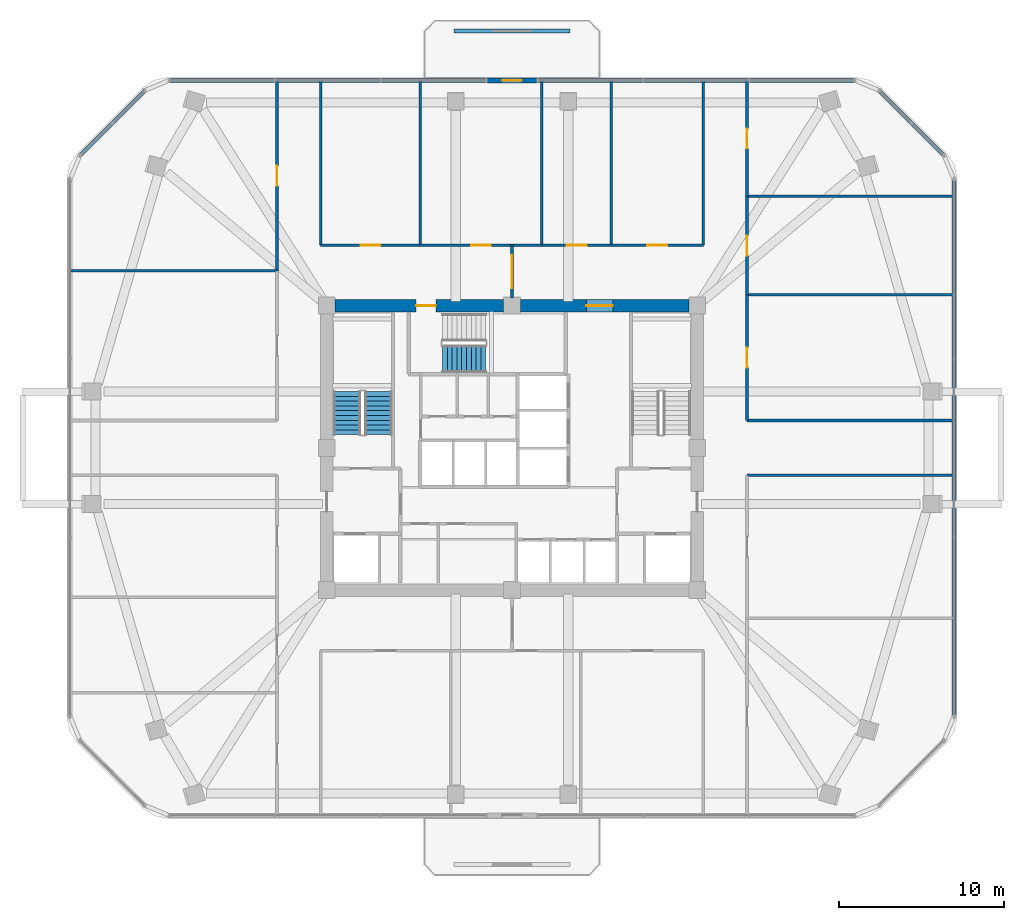
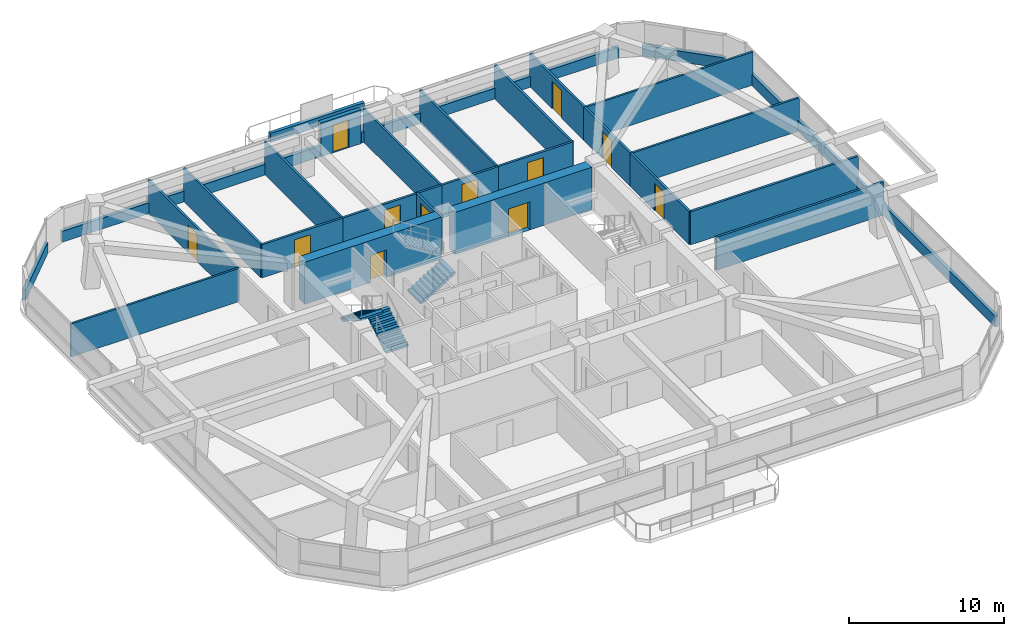
# One storey, part 10 of 13: 28 walls, 12 doors, 3 stair flights, 12 openings, 2 elements without a shape of their own.
"""IFC4 building model written with IfcOpenShell, lengths in metres."""

from ifc_helpers import new_model, si_unit, derived_unit, direction, frame, frame_2d, origin, place, context, subcontext, project, spatial, polyline, rectangle, outline, extrude, material, layer, layer_set, type_object, element, fill, aggregate, save


model = new_model("IFC4")

# Units and contexts
model_context = context("Model", 3, precision=1e-05, world=origin(), true_north=direction((0.0, 1.0)))
body_context = subcontext(model_context, "Body", "Model", "MODEL_VIEW")
ifc_project = project(units=[si_unit("LENGTHUNIT", "METRE"), si_unit("AREAUNIT", "SQUARE_METRE"), si_unit("VOLUMEUNIT", "CUBIC_METRE"), si_unit("PLANEANGLEUNIT", "RADIAN"), si_unit("MASSUNIT", "GRAM", prefix="KILO"), derived_unit("THERMALTRANSMITTANCEUNIT", [(si_unit("POWERUNIT", "WATT"), 1), (si_unit("LENGTHUNIT", "METRE"), -2), (si_unit("THERMODYNAMICTEMPERATUREUNIT", "KELVIN"), -1)])], contexts=[model_context])

# Site, building, storey
site_placement = place(None, origin())
site = spatial("IfcSite", under=ifc_project, at=site_placement, CompositionType="ELEMENT")
building_placement = place(site_placement, origin())
building = spatial("IfcBuilding", under=site, at=building_placement, Name="Koralith Skygarden Medical Center", CompositionType="ELEMENT")
storey_placement = place(building_placement, frame((0.0, 0.0, 88.3798828125)))
storey = spatial("IfcBuildingStorey", under=building, at=storey_placement, Name="L22", CompositionType="ELEMENT", Elevation=88.3798828125)

# Walls
ifc_material_1 = material(Name="Gypsum Board Partition")
ifc_layer_1 = layer(ifc_material_1, 0.14990234375)
ifc_layer_set_1 = layer_set([ifc_layer_1], Name="Gypsum Board Partition")
wall_type_1 = type_object("IfcWallType", Name="Clinical Acoustic Partition 150", PredefinedType="PARTITIONING", material=ifc_layer_set_1)
for number, where, z_axis, x_axis, name in (
    (1, (31.450927734375, 38.159912109375, 0.0), (0.0, 0.0, 1.0), (0.0, 1.0, 0.0), "L22 Clinical Acoustic Partition 150 W-PART-L22-N-01"),
    (2, (38.800048828125, 38.159912109375, 0.0), (0.0, 0.0, 1.0), (0.0, 1.0, 0.0), "L22 Clinical Acoustic Partition 150 W-PART-L22-N-02"),
    (3, (43.010986328125, 38.159912109375, 0.0), (0.0, 0.0, 1.0), (0.0, 1.0, 0.0), "L22 Clinical Acoustic Partition 150 W-PART-L22-N-03"),
):
    element("IfcWall", number, at=place(storey_placement, frame(where, z_axis=z_axis, x_axis=x_axis)), inside=storey, type_object=wall_type_1, Name=name, PredefinedType="PARTITIONING", context=body_context, shape_type="SweptSolid", body=[
        extrude(rectangle(XDim=9.940185546875, YDim=0.14990234375, at=frame_2d((4.97021484375, 0.0))), origin(), (0.0, 0.0, 1.0), 2.610107421875),
    ])
for number, where, z_axis, x_axis, name in (
    (4, (22.7900390625, 36.597900390625, 0.0), (0.0, 0.0, 1.0), (-1.0, 0.0, 0.0), "L22 Clinical Acoustic Partition 150 W-PART-L22-WN-01"),
    (5, (51.2099609375, 35.15087890625, 0.0), (0.0, 0.0, 1.0), (1.0, 0.0, 0.0), "L22 Clinical Acoustic Partition 150 W-PART-L22-EN-01"),
    (6, (51.2099609375, 41.115966796875, 0.0), (0.0, 0.0, 1.0), (1.0, 0.0, 0.0), "L22 Clinical Acoustic Partition 150 W-PART-L22-EN-02"),
):
    element("IfcWall", number, at=place(storey_placement, frame(where, z_axis=z_axis, x_axis=x_axis)), inside=storey, type_object=wall_type_1, Name=name, PredefinedType="PARTITIONING", context=body_context, shape_type="SweptSolid", body=[
        extrude(rectangle(XDim=12.489990234375, YDim=0.14990234375, at=frame_2d((6.2451171875, 0.0))), origin(), (0.0, 0.0, 1.0), 2.610107421875),
    ])
ifc_layer_2 = layer(ifc_material_1, 0.1650390625)
ifc_layer_set_2 = layer_set([ifc_layer_2], Name="Gypsum Board Partition")
wall_type_2 = type_object("IfcWallType", Name="Clinical Corridor Partition 165", PredefinedType="PARTITIONING", material=ifc_layer_set_2)
for number, where, z_axis, x_axis, name in (
    (7, (25.429931640625, 38.159912109375, 0.0), (0.0, 0.0, 1.0), (0.0, 1.0, 0.0), "L22 Clinical Corridor Partition 165 W-HCOR-L22-NW"),
    (8, (48.570068359375, 38.159912109375, 0.0), (0.0, 0.0, 1.0), (0.0, 1.0, 0.0), "L22 Clinical Corridor Partition 165 W-HCOR-L22-NE"),
):
    element("IfcWall", number, at=place(storey_placement, frame(where, z_axis=z_axis, x_axis=x_axis)), inside=storey, type_object=wall_type_2, Name=name, PredefinedType="PARTITIONING", context=body_context, shape_type="SweptSolid", body=[
        extrude(rectangle(XDim=9.940185546875, YDim=0.1650390625, at=frame_2d((4.97021484375, 0.0))), origin(), (0.0, 0.0, 1.0), 2.610107421875),
    ])
for number, where, z_axis, x_axis, name in (
    (9, (51.2099609375, 24.239990234375, 0.0), (0.0, 0.0, 1.0), (1.0, 0.0, 0.0), "L22 Clinical Corridor Partition 165 W-HCOR-L22-EWS-E"),
    (10, (51.2099609375, 27.56005859375, 0.0), (0.0, 0.0, 1.0), (1.0, 0.0, 0.0), "L22 Clinical Corridor Partition 165 W-HCOR-L22-EWN-E"),
):
    element("IfcWall", number, at=place(storey_placement, frame(where, z_axis=z_axis, x_axis=x_axis)), inside=storey, type_object=wall_type_2, Name=name, PredefinedType="PARTITIONING", context=body_context, shape_type="SweptSolid", body=[
        extrude(rectangle(XDim=12.489990234375, YDim=0.1650390625, at=frame_2d((6.2451171875, 0.0))), origin(), (0.0, 0.0, 1.0), 2.610107421875),
    ])

# Wall, opening, door
wall_1_placement = place(storey_placement, frame((25.429931640625, 38.159912109375, 0.0), z_axis=(0.0, 0.0, 1.0), x_axis=(1.0, 0.0, 0.0)))
wall_1 = element("IfcWall", 11, at=wall_1_placement, inside=storey, type_object=wall_type_2, Name="L22 Clinical Corridor Partition 165 W-CORR-L22-N-01", PredefinedType="PARTITIONING", context=body_context, shape_type="SweptSolid", body=[
    extrude(rectangle(XDim=6.02099609375, YDim=0.1650390625, at=frame_2d((3.010498046875, 0.0))), origin(), (0.0, 0.0, 1.0), 2.610107421875),
])
opening_1_placement = place(wall_1_placement, frame((2.410888671875, 0.0, 0.0)))
opening_1 = element("IfcOpeningElement", 12, at=opening_1_placement, cuts=wall_1, Name="Opening D-CLN", PredefinedType="OPENING", context=body_context, shape_type="SweptSolid", body=[
    extrude(rectangle(XDim=1.199951171875, YDim=2.14990234375, at=frame_2d((0.60009765625, 1.074951171875))), frame((0.0, 0.092529296875, 0.0), z_axis=(0.0, -1.0, 0.0), x_axis=(1.0, 0.0, 0.0)), (0.0, 0.0, 1.0), 0.18505859375),
])
ifc_material_2 = material(Name="Aluminium 6063-T6", Category="aluminium")
door_type_1 = type_object("IfcDoorType", Name="Clinical Corridor Door D-CLN 1200", OperationType="NOTDEFINED", PredefinedType="DOOR", material=ifc_material_2)
door_1_placement = place(opening_1_placement, origin())
door_1 = element("IfcDoor", 13, at=door_1_placement, inside=storey, type_object=door_type_1, Name="L22 Physician Consultation Office 01 Door", OperationType="SINGLE_SWING_RIGHT", OverallHeight=2.14990234375, OverallWidth=1.199951171875, PredefinedType="DOOR", context=body_context, shape_type="SweptSolid", body=[
    extrude(rectangle(XDim=1.199951171875, YDim=2.14990234375, at=frame_2d((0.60009765625, 1.074951171875))), frame((0.0, 0.02490234375, 0.0), z_axis=(0.0, -1.0, 0.0), x_axis=(1.0, 0.0, 0.0)), (0.0, 0.0, 1.0), 0.050048828125),
])
fill(opening_1, door_1)

wall_2_placement = place(storey_placement, frame((31.450927734375, 38.159912109375, 0.0), z_axis=(0.0, 0.0, 1.0), x_axis=(1.0, 0.0, 0.0)))
wall_2 = element("IfcWall", 14, at=wall_2_placement, inside=storey, type_object=wall_type_2, Name="L22 Clinical Corridor Partition 165 W-CORR-L22-N-02", PredefinedType="PARTITIONING", context=body_context, shape_type="SweptSolid", body=[
    extrude(rectangle(XDim=7.34912109375, YDim=0.1650390625, at=frame_2d((3.674560546875, 0.0))), origin(), (0.0, 0.0, 1.0), 2.610107421875),
])
opening_2_placement = place(wall_2_placement, frame((3.073974609375, 0.0, 0.0)))
opening_2 = element("IfcOpeningElement", 15, at=opening_2_placement, cuts=wall_2, Name="Opening D-CLN", PredefinedType="OPENING", context=body_context, shape_type="SweptSolid", body=[
    extrude(rectangle(XDim=1.199951171875, YDim=2.14990234375, at=frame_2d((0.60009765625, 1.074951171875))), frame((0.0, 0.092529296875, 0.0), z_axis=(0.0, -1.0, 0.0), x_axis=(1.0, 0.0, 0.0)), (0.0, 0.0, 1.0), 0.18505859375),
])
door_2_placement = place(opening_2_placement, origin())
door_2 = element("IfcDoor", 16, at=door_2_placement, inside=storey, type_object=door_type_1, Name="L22 Patient and Family Sky-Garden Day Lounge 02 Door", OperationType="SINGLE_SWING_LEFT", OverallHeight=2.14990234375, OverallWidth=1.199951171875, PredefinedType="DOOR", context=body_context, shape_type="SweptSolid", body=[
    extrude(rectangle(XDim=1.199951171875, YDim=2.14990234375, at=frame_2d((0.60009765625, 1.074951171875))), frame((0.0, 0.02490234375, 0.0), z_axis=(0.0, -1.0, 0.0), x_axis=(1.0, 0.0, 0.0)), (0.0, 0.0, 1.0), 0.050048828125),
])
fill(opening_2, door_2)

wall_3_placement = place(storey_placement, frame((38.800048828125, 38.159912109375, 0.0), z_axis=(0.0, 0.0, 1.0), x_axis=(1.0, 0.0, 0.0)))
wall_3 = element("IfcWall", 17, at=wall_3_placement, inside=storey, type_object=wall_type_2, Name="L22 Clinical Corridor Partition 165 W-CORR-L22-N-03", PredefinedType="PARTITIONING", context=body_context, shape_type="SweptSolid", body=[
    extrude(rectangle(XDim=4.2109375, YDim=0.1650390625, at=frame_2d((2.10546875, 0.0))), origin(), (0.0, 0.0, 1.0), 2.610107421875),
])
opening_3_placement = place(wall_3_placement, frame((1.506103515625, 0.0, 0.0)))
opening_3 = element("IfcOpeningElement", 18, at=opening_3_placement, cuts=wall_3, Name="Opening D-CLN", PredefinedType="OPENING", context=body_context, shape_type="SweptSolid", body=[
    extrude(rectangle(XDim=1.199951171875, YDim=2.14990234375, at=frame_2d((0.60009765625, 1.074951171875))), frame((0.0, 0.092529296875, 0.0), z_axis=(0.0, -1.0, 0.0), x_axis=(1.0, 0.0, 0.0)), (0.0, 0.0, 1.0), 0.18505859375),
])
door_3_placement = place(opening_3_placement, origin())
door_3 = element("IfcDoor", 19, at=door_3_placement, inside=storey, type_object=door_type_1, Name="L22 Clinical Case Conference Room 03 Door", OperationType="SINGLE_SWING_RIGHT", OverallHeight=2.14990234375, OverallWidth=1.199951171875, PredefinedType="DOOR", context=body_context, shape_type="SweptSolid", body=[
    extrude(rectangle(XDim=1.199951171875, YDim=2.14990234375, at=frame_2d((0.60009765625, 1.074951171875))), frame((0.0, 0.02490234375, 0.0), z_axis=(0.0, -1.0, 0.0), x_axis=(1.0, 0.0, 0.0)), (0.0, 0.0, 1.0), 0.050048828125),
])
fill(opening_3, door_3)

wall_4_placement = place(storey_placement, frame((43.010986328125, 38.159912109375, 0.0), z_axis=(0.0, 0.0, 1.0), x_axis=(1.0, 0.0, 0.0)))
wall_4 = element("IfcWall", 20, at=wall_4_placement, inside=storey, type_object=wall_type_2, Name="L22 Clinical Corridor Partition 165 W-CORR-L22-N-04", PredefinedType="PARTITIONING", context=body_context, shape_type="SweptSolid", body=[
    extrude(rectangle(XDim=5.55908203125, YDim=0.1650390625, at=frame_2d((2.779541015625, 0.0))), origin(), (0.0, 0.0, 1.0), 2.610107421875),
])
opening_4_placement = place(wall_4_placement, frame((2.178955078125, 0.0, 0.0)))
opening_4 = element("IfcOpeningElement", 21, at=opening_4_placement, cuts=wall_4, Name="Opening D-CLN", PredefinedType="OPENING", context=body_context, shape_type="SweptSolid", body=[
    extrude(rectangle(XDim=1.199951171875, YDim=2.14990234375, at=frame_2d((0.60009765625, 1.074951171875))), frame((0.0, 0.092529296875, 0.0), z_axis=(0.0, -1.0, 0.0), x_axis=(1.0, 0.0, 0.0)), (0.0, 0.0, 1.0), 0.18505859375),
])
door_4_placement = place(opening_4_placement, origin())
door_4 = element("IfcDoor", 22, at=door_4_placement, inside=storey, type_object=door_type_1, Name="L22 Patient Nutrition Pantry 04 Door", OperationType="SINGLE_SWING_LEFT", OverallHeight=2.14990234375, OverallWidth=1.199951171875, PredefinedType="DOOR", context=body_context, shape_type="SweptSolid", body=[
    extrude(rectangle(XDim=1.199951171875, YDim=2.14990234375, at=frame_2d((0.60009765625, 1.074951171875))), frame((0.0, 0.02490234375, 0.0), z_axis=(0.0, -1.0, 0.0), x_axis=(1.0, 0.0, 0.0)), (0.0, 0.0, 1.0), 0.050048828125),
])
fill(opening_4, door_4)

wall_5_placement = place(storey_placement, frame((22.7900390625, 36.597900390625, 0.0), z_axis=(0.0, 0.0, 1.0), x_axis=(0.0, 1.0, 0.0)))
wall_5 = element("IfcWall", 23, at=wall_5_placement, inside=storey, type_object=wall_type_2, Name="L22 Clinical Corridor Partition 165 W-CORR-L22-WN-02", PredefinedType="PARTITIONING", context=body_context, shape_type="SweptSolid", body=[
    extrude(rectangle(XDim=11.502197265625, YDim=0.1650390625, at=frame_2d((5.7509765625, 0.0))), origin(), (0.0, 0.0, 1.0), 2.610107421875),
])
opening_5_placement = place(wall_5_placement, frame((5.15087890625, 0.0, 0.0)))
opening_5 = element("IfcOpeningElement", 24, at=opening_5_placement, cuts=wall_5, Name="Opening D-CLN", PredefinedType="OPENING", context=body_context, shape_type="SweptSolid", body=[
    extrude(rectangle(XDim=1.199951171875, YDim=2.14990234375, at=frame_2d((0.60009765625, 1.074951171875))), frame((0.0, 0.092529296875, 0.0), z_axis=(0.0, -1.0, 0.0), x_axis=(1.0, 0.0, 0.0)), (0.0, 0.0, 1.0), 0.18505859375),
])
door_5_placement = place(opening_5_placement, frame((1.199951171875, 0.0, 0.0), z_axis=(0.0, 0.0, 1.0), x_axis=(-1.0, 0.0, 0.0)))
door_5 = element("IfcDoor", 25, at=door_5_placement, inside=storey, type_object=door_type_1, Name="L22 Clinical Case Conference Room 12 Door", OperationType="SINGLE_SWING_LEFT", OverallHeight=2.14990234375, OverallWidth=1.199951171875, PredefinedType="DOOR", context=body_context, shape_type="SweptSolid", body=[
    extrude(rectangle(XDim=1.199951171875, YDim=2.14990234375, at=frame_2d((0.60009765625, 1.074951171875))), frame((0.0, 0.02490234375, 0.0), z_axis=(0.0, -1.0, 0.0), x_axis=(1.0, 0.0, 0.0)), (0.0, 0.0, 1.0), 0.050048828125),
])
fill(opening_5, door_5)

wall_6_placement = place(storey_placement, frame((51.2099609375, 27.56005859375, 0.0), z_axis=(0.0, 0.0, 1.0), x_axis=(0.0, 1.0, 0.0)))
wall_6 = element("IfcWall", 26, at=wall_6_placement, inside=storey, type_object=wall_type_2, Name="L22 Clinical Corridor Partition 165 W-CORR-L22-EN-01", PredefinedType="PARTITIONING", context=body_context, shape_type="SweptSolid", body=[
    extrude(rectangle(XDim=7.5908203125, YDim=0.1650390625, at=frame_2d((3.79541015625, 0.0))), origin(), (0.0, 0.0, 1.0), 2.610107421875),
])
opening_6_placement = place(wall_6_placement, frame((3.196044921875, 0.0, 0.0)))
opening_6 = element("IfcOpeningElement", 27, at=opening_6_placement, cuts=wall_6, Name="Opening D-CLN", PredefinedType="OPENING", context=body_context, shape_type="SweptSolid", body=[
    extrude(rectangle(XDim=1.199951171875, YDim=2.14990234375, at=frame_2d((0.60009765625, 1.074951171875))), frame((0.0, 0.092529296875, 0.0), z_axis=(0.0, -1.0, 0.0), x_axis=(1.0, 0.0, 0.0)), (0.0, 0.0, 1.0), 0.18505859375),
])
door_6_placement = place(opening_6_placement, origin())
door_6 = element("IfcDoor", 28, at=door_6_placement, inside=storey, type_object=door_type_1, Name="L22 Physician Consultation Office 15 Door", OperationType="SINGLE_SWING_RIGHT", OverallHeight=2.14990234375, OverallWidth=1.199951171875, PredefinedType="DOOR", context=body_context, shape_type="SweptSolid", body=[
    extrude(rectangle(XDim=1.199951171875, YDim=2.14990234375, at=frame_2d((0.60009765625, 1.074951171875))), frame((0.0, 0.02490234375, 0.0), z_axis=(0.0, -1.0, 0.0), x_axis=(1.0, 0.0, 0.0)), (0.0, 0.0, 1.0), 0.050048828125),
])
fill(opening_6, door_6)

wall_7_placement = place(storey_placement, frame((51.2099609375, 35.15087890625, 0.0), z_axis=(0.0, 0.0, 1.0), x_axis=(0.0, 1.0, 0.0)))
wall_7 = element("IfcWall", 29, at=wall_7_placement, inside=storey, type_object=wall_type_2, Name="L22 Clinical Corridor Partition 165 W-CORR-L22-EN-02", PredefinedType="PARTITIONING", context=body_context, shape_type="SweptSolid", body=[
    extrude(rectangle(XDim=5.965087890625, YDim=0.1650390625, at=frame_2d((2.982421875, 0.0))), origin(), (0.0, 0.0, 1.0), 2.610107421875),
])
opening_7_placement = place(wall_7_placement, frame((2.382080078125, 0.0, 0.0)))
opening_7 = element("IfcOpeningElement", 30, at=opening_7_placement, cuts=wall_7, Name="Opening D-CLN", PredefinedType="OPENING", context=body_context, shape_type="SweptSolid", body=[
    extrude(rectangle(XDim=1.199951171875, YDim=2.14990234375, at=frame_2d((0.60009765625, 1.074951171875))), frame((0.0, 0.092529296875, 0.0), z_axis=(0.0, -1.0, 0.0), x_axis=(1.0, 0.0, 0.0)), (0.0, 0.0, 1.0), 0.18505859375),
])
door_7_placement = place(opening_7_placement, origin())
door_7 = element("IfcDoor", 31, at=door_7_placement, inside=storey, type_object=door_type_1, Name="L22 Clinical Case Conference Room 16 Door", OperationType="SINGLE_SWING_LEFT", OverallHeight=2.14990234375, OverallWidth=1.199951171875, PredefinedType="DOOR", context=body_context, shape_type="SweptSolid", body=[
    extrude(rectangle(XDim=1.199951171875, YDim=2.14990234375, at=frame_2d((0.60009765625, 1.074951171875))), frame((0.0, 0.02490234375, 0.0), z_axis=(0.0, -1.0, 0.0), x_axis=(1.0, 0.0, 0.0)), (0.0, 0.0, 1.0), 0.050048828125),
])
fill(opening_7, door_7)

wall_8_placement = place(storey_placement, frame((51.2099609375, 41.115966796875, 0.0), z_axis=(0.0, 0.0, 1.0), x_axis=(0.0, 1.0, 0.0)))
wall_8 = element("IfcWall", 32, at=wall_8_placement, inside=storey, type_object=wall_type_2, Name="L22 Clinical Corridor Partition 165 W-CORR-L22-EN-03", PredefinedType="PARTITIONING", context=body_context, shape_type="SweptSolid", body=[
    extrude(rectangle(XDim=6.984130859375, YDim=0.1650390625, at=frame_2d((3.4921875, 0.0))), origin(), (0.0, 0.0, 1.0), 2.610107421875),
])
opening_8_placement = place(wall_8_placement, frame((2.89208984375, 0.0, 0.0)))
opening_8 = element("IfcOpeningElement", 33, at=opening_8_placement, cuts=wall_8, Name="Opening D-CLN", PredefinedType="OPENING", context=body_context, shape_type="SweptSolid", body=[
    extrude(rectangle(XDim=1.199951171875, YDim=2.14990234375, at=frame_2d((0.60009765625, 1.074951171875))), frame((0.0, 0.092529296875, 0.0), z_axis=(0.0, -1.0, 0.0), x_axis=(1.0, 0.0, 0.0)), (0.0, 0.0, 1.0), 0.18505859375),
])
door_8_placement = place(opening_8_placement, origin())
door_8 = element("IfcDoor", 34, at=door_8_placement, inside=storey, type_object=door_type_1, Name="L22 Patient Nutrition Pantry 17 Door", OperationType="SINGLE_SWING_RIGHT", OverallHeight=2.14990234375, OverallWidth=1.199951171875, PredefinedType="DOOR", context=body_context, shape_type="SweptSolid", body=[
    extrude(rectangle(XDim=1.199951171875, YDim=2.14990234375, at=frame_2d((0.60009765625, 1.074951171875))), frame((0.0, 0.02490234375, 0.0), z_axis=(0.0, -1.0, 0.0), x_axis=(1.0, 0.0, 0.0)), (0.0, 0.0, 1.0), 0.050048828125),
])
fill(opening_8, door_8)

ifc_layer_3 = layer(ifc_material_1, 0.179931640625)
ifc_layer_set_3 = layer_set([ifc_layer_3], Name="Gypsum Board Partition")
wall_type_3 = type_object("IfcWallType", Name="Group I-2 Smoke Barrier Wall 180", PredefinedType="PARTITIONING", material=ifc_layer_set_3)
wall_9_placement = place(storey_placement, frame((37.0, 34.949951171875, 0.0), z_axis=(0.0, 0.0, 1.0), x_axis=(0.0, 1.0, 0.0)))
wall_9 = element("IfcWall", 35, at=wall_9_placement, inside=storey, type_object=wall_type_3, Name="L22 Group I-2 Smoke Barrier Wall 180 W-SMK-L22-N", PredefinedType="PARTITIONING", context=body_context, shape_type="SweptSolid", body=[
    extrude(rectangle(XDim=3.2099609375, YDim=0.179931640625, at=frame_2d((1.60498046875, 0.0))), origin(), (0.0, 0.0, 1.0), 2.610107421875),
])
opening_9_placement = place(wall_9_placement, frame((0.60498046875, 0.0, 0.0)))
opening_9 = element("IfcOpeningElement", 36, at=opening_9_placement, cuts=wall_9, Name="Opening D-SMK", PredefinedType="OPENING", context=body_context, shape_type="SweptSolid", body=[
    extrude(rectangle(XDim=2.0, YDim=2.199951171875, at=frame_2d((1.0, 1.10009765625))), frame((0.0, 0.099853515625, 0.0), z_axis=(0.0, -1.0, 0.0), x_axis=(1.0, 0.0, 0.0)), (0.0, 0.0, 1.0), 0.199951171875),
])
ifc_material_3 = material(Name="Steel ASTM A500 Grade C", Category="steel")
door_type_2 = type_object("IfcDoorType", Name="Cross-Corridor Double Smoke Door FD60S 2000", OperationType="NOTDEFINED", PredefinedType="DOOR", material=ifc_material_3)
door_9_placement = place(opening_9_placement, origin())
door_9 = element("IfcDoor", 37, at=door_9_placement, inside=storey, type_object=door_type_2, Name="L22 N Smoke Compartment Cross-Corridor Door", OperationType="DOUBLE_DOOR_SINGLE_SWING", OverallHeight=2.199951171875, OverallWidth=2.0, PredefinedType="DOOR", context=body_context, shape_type="SweptSolid", body=[
    extrude(rectangle(XDim=2.0, YDim=2.199951171875, at=frame_2d((1.0, 1.10009765625))), frame((0.0, 0.02490234375, 0.0), z_axis=(0.0, -1.0, 0.0), x_axis=(1.0, 0.0, 0.0)), (0.0, 0.0, 1.0), 0.050048828125),
])
fill(opening_9, door_9)

# Walls
ifc_material_4 = material(Name="Warm Oolitic Limestone Cladding", Category="masonry")
ifc_layer_4 = layer(ifc_material_4, 0.239990234375)
ifc_layer_set_4 = layer_set([ifc_layer_4], Name="Warm Oolitic Limestone Cladding")
wall_type_4 = type_object("IfcWallType", Name="Limestone Spandrel Sill Backup Wall 240", PredefinedType="SOLIDWALL", material=ifc_layer_set_4)
wall_10_placement = place(storey_placement, frame((63.719970703125, 9.655029296875, 0.0), z_axis=(0.0, 0.0, 1.0), x_axis=(0.0, 1.0, 0.0)))
element("IfcWall", 38, at=wall_10_placement, inside=storey, type_object=wall_type_4, Name="L22 Sill Spandrel E", PredefinedType="SOLIDWALL", context=body_context, shape_type="SweptSolid", body=[
    extrude(rectangle(XDim=32.489990234375, YDim=0.239990234375, at=frame_2d((16.2451171875, 0.0))), origin(), (0.0, 0.0, 1.0), 0.85009765625),
])
wall_11_placement = place(storey_placement, frame((63.118896484375, 43.595947265625, 0.0), z_axis=(0.0, 0.0, 1.0), x_axis=(-0.707084777957, 0.707128783731, 0.0)))
element("IfcWall", 39, at=wall_11_placement, inside=storey, type_object=wall_type_4, Name="L22 Sill Spandrel NE", PredefinedType="SOLIDWALL", context=body_context, shape_type="SweptSolid", body=[
    extrude(rectangle(XDim=5.5478515625, YDim=0.239990234375, at=frame_2d((2.77392578125, 0.0))), origin(), (0.0, 0.0, 1.0), 0.85009765625),
])
wall_12_placement = place(storey_placement, frame((57.7451171875, 48.1201171875, 0.0), z_axis=(0.0, 0.0, 1.0), x_axis=(-1.0, 0.0, 0.0)))
element("IfcWall", 40, at=wall_12_placement, inside=storey, type_object=wall_type_4, Name="L22 Sill Spandrel N-L", PredefinedType="SOLIDWALL", context=body_context, shape_type="SweptSolid", body=[
    extrude(rectangle(XDim=19.2041015625, YDim=0.239990234375, at=frame_2d((9.60205078125, 0.0))), origin(), (0.0, 0.0, 1.0), 0.85009765625),
])
wall_13_placement = place(storey_placement, frame((35.4609375, 48.1201171875, 0.0), z_axis=(0.0, 0.0, 1.0), x_axis=(-1.0, 0.0, 0.0)))
element("IfcWall", 41, at=wall_13_placement, inside=storey, type_object=wall_type_4, Name="L22 Sill Spandrel N-R", PredefinedType="SOLIDWALL", context=body_context, shape_type="SweptSolid", body=[
    extrude(rectangle(XDim=19.2060546875, YDim=0.239990234375, at=frame_2d((9.60302734375, 0.0))), origin(), (0.0, 0.0, 1.0), 0.85009765625),
])
wall_14_placement = place(storey_placement, frame((14.803955078125, 47.51904296875, 0.0), z_axis=(0.0, 0.0, 1.0), x_axis=(-0.707084777957, -0.707128783731, 0.0)))
element("IfcWall", 42, at=wall_14_placement, inside=storey, type_object=wall_type_4, Name="L22 Sill Spandrel NW", PredefinedType="SOLIDWALL", context=body_context, shape_type="SweptSolid", body=[
    extrude(rectangle(XDim=5.5478515625, YDim=0.239990234375, at=frame_2d((2.77392578125, 0.0))), origin(), (0.0, 0.0, 1.0), 0.85009765625),
])

# Wall, opening, door
ifc_material_5 = material(Name="Concrete C70/85", Category="concrete")
ifc_layer_5 = layer(ifc_material_5, 0.75)
ifc_layer_set_5 = layer_set([ifc_layer_5], Name="Concrete C70/85")
wall_type_5 = type_object("IfcWallType", Name="Mid Core Shear Wall 750", PredefinedType="SHEAR", material=ifc_layer_set_5)
wall_15_placement = place(storey_placement, frame((47.695068359375, 34.5, 0.0), z_axis=(0.0, 0.0, 1.0), x_axis=(-1.0, 0.0, 0.0)))
wall_15 = element("IfcWall", 43, at=wall_15_placement, inside=storey, type_object=wall_type_5, Name="L22 Core Shear Wall Segment 5", PredefinedType="SHEAR", context=body_context, shape_type="SweptSolid", body=[
    extrude(rectangle(XDim=10.190185546875, YDim=0.75, at=frame_2d((5.09521484375, 0.0))), origin(), (0.0, 0.0, 1.0), 3.320068359375),
])
opening_10_placement = place(wall_15_placement, frame((4.594970703125, 0.0, 0.0)))
opening_10 = element("IfcOpeningElement", 44, at=opening_10_placement, cuts=wall_15, Name="Opening D-DBL", PredefinedType="OPENING", context=body_context, shape_type="SweptSolid", body=[
    extrude(rectangle(XDim=1.60009765625, YDim=2.199951171875, at=frame_2d((0.800048828125, 1.10009765625))), frame((0.0, 0.385009765625, 0.0), z_axis=(0.0, -1.0, 0.0), x_axis=(1.0, 0.0, 0.0)), (0.0, 0.0, 1.0), 0.77001953125),
])
door_type_3 = type_object("IfcDoorType", Name="Double Clinical Suite Door D-DBL 1600", OperationType="NOTDEFINED", PredefinedType="DOOR", material=ifc_material_2)
door_10_placement = place(opening_10_placement, frame((1.60009765625, 0.0, 0.0), z_axis=(0.0, 0.0, 1.0), x_axis=(-1.0, 0.0, 0.0)))
door_10 = element("IfcDoor", 45, at=door_10_placement, inside=storey, type_object=door_type_3, Name="L22 North-East Corridor to Elevator Lobby Door", OperationType="DOUBLE_DOOR_SINGLE_SWING", OverallHeight=2.199951171875, OverallWidth=1.60009765625, PredefinedType="DOOR", context=body_context, shape_type="SweptSolid", body=[
    extrude(rectangle(XDim=1.60009765625, YDim=2.199951171875, at=frame_2d((0.800048828125, 1.10009765625))), frame((0.0, 0.02490234375, 0.0), z_axis=(0.0, -1.0, 0.0), x_axis=(1.0, 0.0, 0.0)), (0.0, 0.0, 1.0), 0.050048828125),
])
fill(opening_10, door_10)

wall_16_placement = place(storey_placement, frame((36.4951171875, 34.5, 0.0), z_axis=(0.0, 0.0, 1.0), x_axis=(-1.0, 0.0, 0.0)))
wall_16 = element("IfcWall", 46, at=wall_16_placement, inside=storey, type_object=wall_type_5, Name="L22 Core Shear Wall Segment 6", PredefinedType="SHEAR", context=body_context, shape_type="SweptSolid", body=[
    extrude(rectangle(XDim=10.190185546875, YDim=0.75, at=frame_2d((5.09521484375, 0.0))), origin(), (0.0, 0.0, 1.0), 3.320068359375),
])
opening_11_placement = place(wall_16_placement, frame((4.094970703125, 0.0, 0.0)))
opening_11 = element("IfcOpeningElement", 47, at=opening_11_placement, cuts=wall_16, Name="Opening D-ST60", PredefinedType="OPENING", context=body_context, shape_type="SweptSolid", body=[
    extrude(rectangle(XDim=1.199951171875, YDim=2.14990234375, at=frame_2d((0.60009765625, 1.074951171875))), frame((0.0, 0.385009765625, 0.0), z_axis=(0.0, -1.0, 0.0), x_axis=(1.0, 0.0, 0.0)), (0.0, 0.0, 1.0), 0.77001953125),
])
door_type_4 = type_object("IfcDoorType", Name="Smokeproof Stair Fire Door FD60S 1200", OperationType="NOTDEFINED", PredefinedType="DOOR", material=ifc_material_3)
door_11_placement = place(opening_11_placement, frame((1.199951171875, 0.0, 0.0), z_axis=(0.0, 0.0, 1.0), x_axis=(-1.0, 0.0, 0.0)))
door_11 = element("IfcDoor", 48, at=door_11_placement, inside=storey, type_object=door_type_4, Name="L22 Exit Stair ST3 Fire Door", OperationType="SINGLE_SWING_LEFT", OverallHeight=2.14990234375, OverallWidth=1.199951171875, PredefinedType="DOOR", context=body_context, shape_type="SweptSolid", body=[
    extrude(rectangle(XDim=1.199951171875, YDim=2.14990234375, at=frame_2d((0.60009765625, 1.074951171875))), frame((0.0, 0.02490234375, 0.0), z_axis=(0.0, -1.0, 0.0), x_axis=(1.0, 0.0, 0.0)), (0.0, 0.0, 1.0), 0.050048828125),
])
fill(opening_11, door_11)

ifc_layer_6 = layer(ifc_material_4, 0.300048828125)
ifc_layer_set_6 = layer_set([ifc_layer_6], Name="Warm Oolitic Limestone Cladding")
wall_type_6 = type_object("IfcWallType", Name="Oolitic Limestone Insulated Facade Wall 300", PredefinedType="SOLIDWALL", material=ifc_layer_set_6)
wall_17_placement = place(storey_placement, frame((38.5009765625, 48.1201171875, 0.0), z_axis=(0.0, 0.0, 1.0), x_axis=(-1.0, 0.0, 0.0)))
wall_17 = element("IfcWall", 49, at=wall_17_placement, inside=storey, type_object=wall_type_6, Name="L22 Terrace Portal Wall N", PredefinedType="SOLIDWALL", context=body_context, shape_type="SweptSolid", body=[
    extrude(rectangle(XDim=3.0, YDim=0.300048828125, at=frame_2d((1.5, 0.0))), origin(), (0.0, 0.0, 1.0), 2.670166015625),
])
opening_12_placement = place(wall_17_placement, frame((0.89990234375, 0.0, 0.0)))
opening_12 = element("IfcOpeningElement", 50, at=opening_12_placement, cuts=wall_17, Name="Opening D-BAL", PredefinedType="OPENING", context=body_context, shape_type="SweptSolid", body=[
    extrude(rectangle(XDim=1.199951171875, YDim=2.199951171875, at=frame_2d((0.60009765625, 1.10009765625))), frame((0.0, 0.159912109375, 0.0), z_axis=(0.0, -1.0, 0.0), x_axis=(1.0, 0.0, 0.0)), (0.0, 0.0, 1.0), 0.320068359375),
])
door_type_5 = type_object("IfcDoorType", Name="Planted Balcony Glazed Terrace Door D-BAL 1200", OperationType="NOTDEFINED", PredefinedType="DOOR", material=ifc_material_2)
door_12_placement = place(opening_12_placement, origin())
door_12 = element("IfcDoor", 51, at=door_12_placement, inside=storey, type_object=door_type_5, Name="L22 N Outdoor Terrace Access Door", OperationType="SINGLE_SWING_LEFT", OverallHeight=2.199951171875, OverallWidth=1.199951171875, PredefinedType="DOOR", context=body_context, shape_type="SweptSolid", body=[
    extrude(rectangle(XDim=1.199951171875, YDim=2.199951171875, at=frame_2d((0.60009765625, 1.10009765625))), frame((0.0, 0.02490234375, 0.0), z_axis=(0.0, -1.0, 0.0), x_axis=(1.0, 0.0, 0.0)), (0.0, 0.0, 1.0), 0.050048828125),
])
fill(opening_12, door_12)

# Wall
ifc_material_6 = material(Name="Precast concrete C40/50", Category="concrete")
ifc_layer_7 = layer(ifc_material_6, 0.25)
ifc_layer_set_7 = layer_set([ifc_layer_7], Name="Precast concrete C40/50")
wall_type_7 = type_object("IfcWallType", Name="Structural Concrete Balcony Planter Kerb 250", PredefinedType="PARAPET", material=ifc_layer_set_7)
wall_18_placement = place(storey_placement, frame((33.5, 51.10009765625, 0.0), z_axis=(0.0, 0.0, 1.0), x_axis=(1.0, 0.0, 0.0)))
element("IfcWall", 52, at=wall_18_placement, inside=storey, type_object=wall_type_7, Name="L22 N Structural Tree PLANTER Box", PredefinedType="PARAPET", context=body_context, shape_type="SweptSolid", body=[
    extrude(rectangle(XDim=7.0, YDim=0.25, at=frame_2d((3.5, 0.0))), origin(), (0.0, 0.0, 1.0), 0.72021484375),
])

# Stair, stair flights
ifc_material_7 = material(Name="Concrete C45/55", Category="concrete")
stair_type = type_object("IfcStairType", Name="Core Exit Dogleg Concrete Stair", PredefinedType="HALF_TURN_STAIR", material=ifc_material_7)
stair_1_placement = place(storey_placement, origin())
stair_1 = element("IfcStair", 53, at=stair_1_placement, inside=storey, type_object=stair_type, Name="L22 Smokeproof Exit Stair ST1", PredefinedType="HALF_TURN_STAIR")
stair_flight_type = type_object("IfcStairFlightType", Name="Core Exit Concrete Stair Flight 1650", PredefinedType="STRAIGHT", material=ifc_material_7)
stair_flight_1_placement = place(storey_placement, frame((28.925048828125, 26.699951171875, 0.0), z_axis=(0.0, 0.0, 1.0), x_axis=(0.0, 1.0, 0.0)))
stair_flight_1 = element("IfcStairFlight", 54, at=stair_flight_1_placement, type_object=stair_flight_type, Name="ST1 flight 1", NumberOfRisers=10, NumberOfTreads=9, PredefinedType="STRAIGHT", RiserHeight=0.18, TreadLength=0.29, context=body_context, shape_type="SweptSolid", body=[
    extrude(outline(polyline([(0.0, 0.0), (0.0, 0.179931640625), (0.2900390625, 0.179931640625), (0.2900390625, 0.360107421875), (0.580078125, 0.360107421875), (0.580078125, 0.5400390625), (0.8701171875, 0.5400390625), (0.8701171875, 0.719970703125), (1.159912109375, 0.719970703125), (1.159912109375, 0.89990234375), (1.449951171875, 0.89990234375), (1.449951171875, 1.080078125), (1.739990234375, 1.080078125), (1.739990234375, 1.260009765625), (2.030029296875, 1.260009765625), (2.030029296875, 1.43994140625), (2.320068359375, 1.43994140625), (2.320068359375, 1.6201171875), (2.610107421875, 1.6201171875), (2.610107421875, 1.800048828125), (2.610107421875, 1.443603515625), (0.2841796875, 0.0), (0.0, 0.0)])), frame((0.0, 0.824951171875, 0.0), z_axis=(0.0, -1.0, 0.0), x_axis=(1.0, 0.0, 0.0)), (0.0, 0.0, 1.0), 1.64990234375),
])
stair_flight_2_placement = place(storey_placement, frame((27.02490234375, 29.31005859375, 1.800048828125), z_axis=(0.0, 0.0, 1.0), x_axis=(0.0, -1.0, 0.0)))
stair_flight_2 = element("IfcStairFlight", 55, at=stair_flight_2_placement, type_object=stair_flight_type, Name="ST1 flight 2", NumberOfRisers=10, NumberOfTreads=9, PredefinedType="STRAIGHT", RiserHeight=0.18, TreadLength=0.29, context=body_context, shape_type="SweptSolid", body=[
    extrude(outline(polyline([(0.0, 0.0), (0.0, 0.179931640625), (0.2900390625, 0.179931640625), (0.2900390625, 0.360107421875), (0.580078125, 0.360107421875), (0.580078125, 0.5400390625), (0.8701171875, 0.5400390625), (0.8701171875, 0.719970703125), (1.159912109375, 0.719970703125), (1.159912109375, 0.89990234375), (1.449951171875, 0.89990234375), (1.449951171875, 1.080078125), (1.739990234375, 1.080078125), (1.739990234375, 1.260009765625), (2.030029296875, 1.260009765625), (2.030029296875, 1.43994140625), (2.320068359375, 1.43994140625), (2.320068359375, 1.6201171875), (2.610107421875, 1.6201171875), (2.610107421875, 1.800048828125), (2.610107421875, 1.443603515625), (0.2841796875, 0.0), (0.0, 0.0)])), frame((0.0, 0.824951171875, 0.0), z_axis=(0.0, -1.0, 0.0), x_axis=(1.0, 0.0, 0.0)), (0.0, 0.0, 1.0), 1.64990234375),
])
aggregate(stair_1, [stair_flight_1, stair_flight_2])

# Stair, stair flight
stair_2_placement = place(storey_placement, origin())
stair_2 = element("IfcStair", 56, at=stair_2_placement, inside=storey, type_object=stair_type, Name="L22 Smokeproof Exit Stair ST3", PredefinedType="HALF_TURN_STAIR")
stair_flight_3_placement = place(storey_placement, frame((32.800048828125, 31.27490234375, 0.0), z_axis=(0.0, 0.0, 1.0), x_axis=(1.0, 0.0, 0.0)))
stair_flight_3 = element("IfcStairFlight", 57, at=stair_flight_3_placement, type_object=stair_flight_type, Name="ST3 flight 1", NumberOfRisers=10, NumberOfTreads=9, PredefinedType="STRAIGHT", RiserHeight=0.18, TreadLength=0.29, context=body_context, shape_type="SweptSolid", body=[
    extrude(outline(polyline([(0.0, 0.0), (0.0, 0.179931640625), (0.2900390625, 0.179931640625), (0.2900390625, 0.360107421875), (0.580078125, 0.360107421875), (0.580078125, 0.5400390625), (0.8701171875, 0.5400390625), (0.8701171875, 0.719970703125), (1.159912109375, 0.719970703125), (1.159912109375, 0.89990234375), (1.449951171875, 0.89990234375), (1.449951171875, 1.080078125), (1.739990234375, 1.080078125), (1.739990234375, 1.260009765625), (2.030029296875, 1.260009765625), (2.030029296875, 1.43994140625), (2.320068359375, 1.43994140625), (2.320068359375, 1.6201171875), (2.610107421875, 1.6201171875), (2.610107421875, 1.800048828125), (2.610107421875, 1.443603515625), (0.2841796875, 0.0), (0.0, 0.0)])), frame((0.0, 0.824951171875, 0.0), z_axis=(0.0, -1.0, 0.0), x_axis=(1.0, 0.0, 0.0)), (0.0, 0.0, 1.0), 1.64990234375),
])
aggregate(stair_2, [stair_flight_3])

save(model, "model.ifc")
